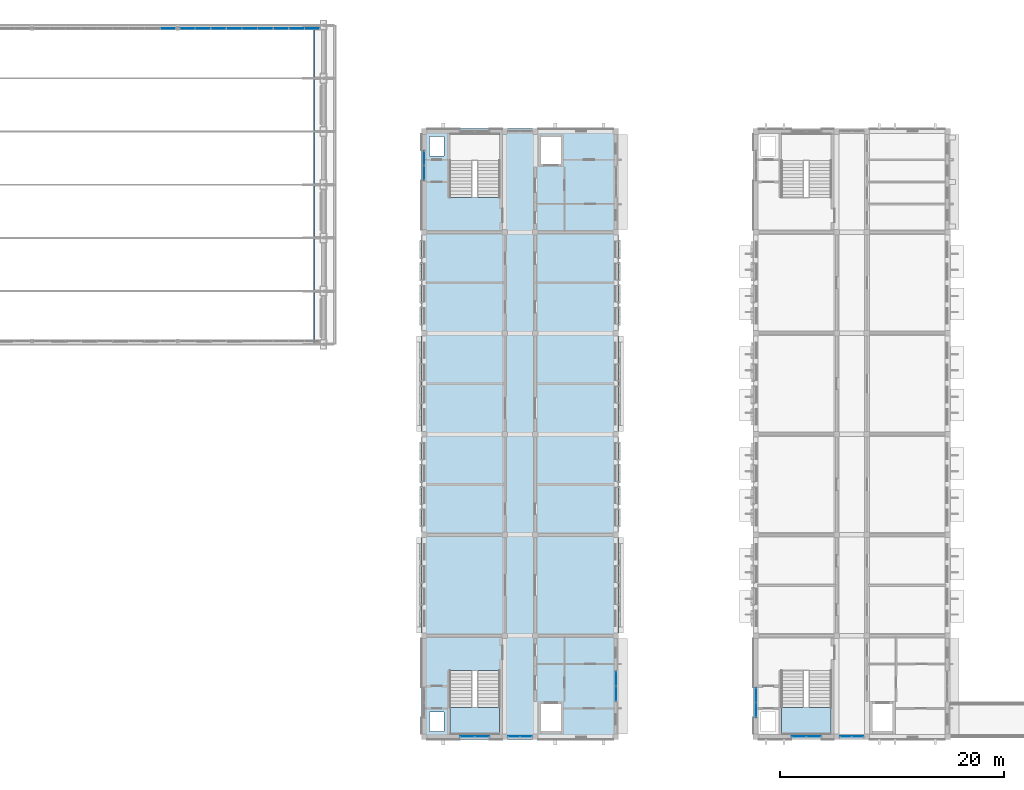
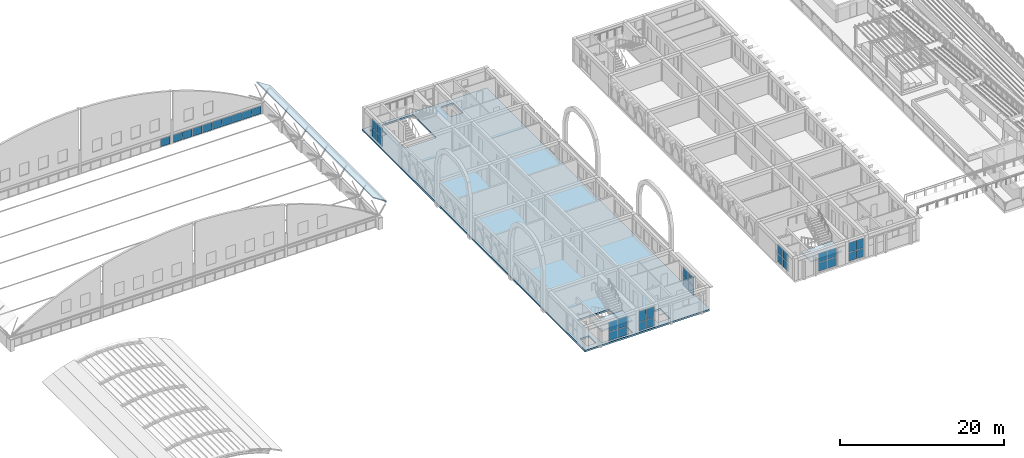
# One storey, part 31 of 65: 38 plates, 4 slabs, 11 elements without a shape of their own.
"""IFC4 building model written with IfcOpenShell, lengths in metres."""

from ifc_helpers import new_model, si_unit, direction, frame, origin, origin_2d, place, context, subcontext, project, spatial, polyline, rectangle, outline, extrude, material, layer, layer_set, type_object, element, aggregate, save


model = new_model("IFC4")

# Units and contexts
model_context = context("Model", 3, precision=1e-05, world=origin(), true_north=direction((0.0, 1.0)))
body_context = subcontext(model_context, "Body", "Model", "MODEL_VIEW")
ifc_project = project(units=[si_unit("LENGTHUNIT", "METRE"), si_unit("AREAUNIT", "SQUARE_METRE"), si_unit("VOLUMEUNIT", "CUBIC_METRE"), si_unit("PLANEANGLEUNIT", "RADIAN"), si_unit("MASSUNIT", "GRAM", prefix="KILO")], contexts=[model_context])

# Site, building, storey
site_placement = place(None, origin())
site = spatial("IfcSite", under=ifc_project, at=site_placement, CompositionType="ELEMENT")
building_placement = place(site_placement, origin())
building = spatial("IfcBuilding", under=site, at=building_placement, Name="Elbe Cascade School", CompositionType="ELEMENT")
storey_placement = place(building_placement, frame((0.0, 0.0, 11.699951171875)))
storey = spatial("IfcBuildingStorey", under=building, at=storey_placement, Name="L03", CompositionType="ELEMENT", Elevation=11.699951171875)

# Stair, slab
ifc_material_1 = material(Name="Concrete C30/37", Category="concrete")
stair_type = type_object("IfcStairType", Name="Bar stair RC 150", PredefinedType="HALF_TURN_STAIR", material=ifc_material_1)
stair_1_placement = place(storey_placement, origin())
stair_1 = element("IfcStair", 1, at=stair_1_placement, inside=storey, type_object=stair_type, Name="Stair A3.S", PredefinedType="HALF_TURN_STAIR")
ifc_material_2 = material(Name="Concrete C30/37", Category="concrete")
ifc_layer_1 = layer(ifc_material_2, 0.199951171875)
ifc_layer_set_1 = layer_set([ifc_layer_1], Name="Concrete C30/37")
slab_type_1 = type_object("IfcSlabType", Name="Bar stair landing RC 200", PredefinedType="LANDING", material=ifc_layer_set_1)
slab_1_placement = place(storey_placement, frame((0.0, 0.0, 1.60009765625)))
slab_1 = element("IfcSlab", 2, at=slab_1_placement, type_object=slab_type_1, Name="ST3 landing 1", PredefinedType="LANDING", context=body_context, shape_type="SweptSolid", body=[
    extrude(outline(polyline([(71.300048828125, 6.179931640625), (75.699951171875, 6.179931640625), (75.699951171875, 8.60009765625), (71.300048828125, 8.60009765625), (71.300048828125, 6.179931640625)])), origin(), (0.0, 0.0, 1.0), 0.199951171875),
])
aggregate(stair_1, [slab_1])

stair_2_placement = place(storey_placement, origin())
stair_2 = element("IfcStair", 3, at=stair_2_placement, inside=storey, type_object=stair_type, Name="Stair B3.S", PredefinedType="HALF_TURN_STAIR")
slab_2_placement = place(storey_placement, frame((0.0, 0.0, 1.60009765625)))
slab_2 = element("IfcSlab", 4, at=slab_2_placement, type_object=slab_type_1, Name="ST3 landing 1", PredefinedType="LANDING", context=body_context, shape_type="SweptSolid", body=[
    extrude(outline(polyline([(100.89990234375, 6.179931640625), (105.300048828125, 6.179931640625), (105.300048828125, 8.60009765625), (100.89990234375, 8.60009765625), (100.89990234375, 6.179931640625)])), origin(), (0.0, 0.0, 1.0), 0.199951171875),
])
aggregate(stair_2, [slab_2])

# Curtain wall, plates
ifc_material_3 = material(Name="Aluminium frame with double glazing, bronze anodised", Category="aluminium")
ifc_layer_2 = layer(ifc_material_3, 0.159912109375)
ifc_layer_set_2 = layer_set([ifc_layer_2], Name="Aluminium frame with double glazing, bronze anodised")
curtain_wall_type_1 = type_object("IfcCurtainWallType", Name="Bars envelope Curtain wall, aluminium, bronze anodised, storey-high slot", PredefinedType="NOTDEFINED", material=ifc_layer_set_2)
curtain_wall_1_placement = place(storey_placement, origin())
curtain_wall_1 = element("IfcCurtainWall", 5, at=curtain_wall_1_placement, inside=storey, type_object=curtain_wall_type_1, Name="Curtain wall CW4 A.L03.w6", PredefinedType="NOTDEFINED")
ifc_material_4 = material(Name="Glass - double glazed low-E", Category="glass")
ifc_layer_3 = layer(ifc_material_4, 0.028076171875)
ifc_layer_set_3 = layer_set([ifc_layer_3], Name="Glass - double glazed low-E")
plate_type_1 = type_object("IfcPlateType", Name="Bars envelope Curtain wall glazing panel 28 mm, double glazed, storey-high slot", PredefinedType="CURTAIN_PANEL", material=ifc_layer_set_3)
plate_1_placement = place(storey_placement, frame((69.0, 56.300048828125, 0.06005859375), z_axis=(0.0, 0.0, 1.0), x_axis=(0.0, 1.0, 0.0)))
plate_1 = element("IfcPlate", 6, at=plate_1_placement, type_object=plate_type_1, Name="CW4 panel 1.1", PredefinedType="CURTAIN_PANEL", context=body_context, shape_type="SweptSolid", body=[
    extrude(rectangle(XDim=1.260009765625, YDim=0.028076171875, at=origin_2d()), origin(), (0.0, 0.0, 1.0), 1.260009765625),
])
plate_2_placement = place(storey_placement, frame((69.0, 56.300048828125, 1.3798828125), z_axis=(0.0, 0.0, 1.0), x_axis=(0.0, 1.0, 0.0)))
plate_2 = element("IfcPlate", 7, at=plate_2_placement, type_object=plate_type_1, Name="CW4 panel 1.2", PredefinedType="CURTAIN_PANEL", context=body_context, shape_type="SweptSolid", body=[
    extrude(rectangle(XDim=1.260009765625, YDim=0.028076171875, at=origin_2d()), origin(), (0.0, 0.0, 1.0), 1.409912109375),
])
plate_3_placement = place(storey_placement, frame((69.0, 57.6201171875, 0.06005859375), z_axis=(0.0, 0.0, 1.0), x_axis=(0.0, 1.0, 0.0)))
plate_3 = element("IfcPlate", 8, at=plate_3_placement, type_object=plate_type_1, Name="CW4 panel 2.1", PredefinedType="CURTAIN_PANEL", context=body_context, shape_type="SweptSolid", body=[
    extrude(rectangle(XDim=1.260009765625, YDim=0.028076171875, at=origin_2d()), origin(), (0.0, 0.0, 1.0), 1.260009765625),
])
plate_4_placement = place(storey_placement, frame((69.0, 57.6201171875, 1.3798828125), z_axis=(0.0, 0.0, 1.0), x_axis=(0.0, 1.0, 0.0)))
plate_4 = element("IfcPlate", 9, at=plate_4_placement, type_object=plate_type_1, Name="CW4 panel 2.2", PredefinedType="CURTAIN_PANEL", context=body_context, shape_type="SweptSolid", body=[
    extrude(rectangle(XDim=1.260009765625, YDim=0.028076171875, at=origin_2d()), origin(), (0.0, 0.0, 1.0), 1.409912109375),
])
aggregate(curtain_wall_1, [plate_1, plate_2, plate_3, plate_4])

curtain_wall_2_placement = place(storey_placement, origin())
curtain_wall_2 = element("IfcCurtainWall", 10, at=curtain_wall_2_placement, inside=storey, type_object=curtain_wall_type_1, Name="Curtain wall CW4 A.L03.e1", PredefinedType="NOTDEFINED")
plate_5_placement = place(storey_placement, frame((86.10009765625, 11.159912109375, 0.06005859375), z_axis=(0.0, 0.0, 1.0), x_axis=(0.0, -1.0, 0.0)))
plate_5 = element("IfcPlate", 11, at=plate_5_placement, type_object=plate_type_1, Name="CW4 panel 1.1", PredefinedType="CURTAIN_PANEL", context=body_context, shape_type="SweptSolid", body=[
    extrude(rectangle(XDim=1.260009765625, YDim=0.028076171875, at=origin_2d()), origin(), (0.0, 0.0, 1.0), 1.260009765625),
])
plate_6_placement = place(storey_placement, frame((86.10009765625, 11.159912109375, 1.3798828125), z_axis=(0.0, 0.0, 1.0), x_axis=(0.0, -1.0, 0.0)))
plate_6 = element("IfcPlate", 12, at=plate_6_placement, type_object=plate_type_1, Name="CW4 panel 1.2", PredefinedType="CURTAIN_PANEL", context=body_context, shape_type="SweptSolid", body=[
    extrude(rectangle(XDim=1.260009765625, YDim=0.028076171875, at=origin_2d()), origin(), (0.0, 0.0, 1.0), 1.409912109375),
])
plate_7_placement = place(storey_placement, frame((86.10009765625, 9.840087890625, 0.06005859375), z_axis=(0.0, 0.0, 1.0), x_axis=(0.0, -1.0, 0.0)))
plate_7 = element("IfcPlate", 13, at=plate_7_placement, type_object=plate_type_1, Name="CW4 panel 2.1", PredefinedType="CURTAIN_PANEL", context=body_context, shape_type="SweptSolid", body=[
    extrude(rectangle(XDim=1.260009765625, YDim=0.028076171875, at=origin_2d()), origin(), (0.0, 0.0, 1.0), 1.260009765625),
])
plate_8_placement = place(storey_placement, frame((86.10009765625, 9.840087890625, 1.3798828125), z_axis=(0.0, 0.0, 1.0), x_axis=(0.0, -1.0, 0.0)))
plate_8 = element("IfcPlate", 14, at=plate_8_placement, type_object=plate_type_1, Name="CW4 panel 2.2", PredefinedType="CURTAIN_PANEL", context=body_context, shape_type="SweptSolid", body=[
    extrude(rectangle(XDim=1.260009765625, YDim=0.028076171875, at=origin_2d()), origin(), (0.0, 0.0, 1.0), 1.409912109375),
])
aggregate(curtain_wall_2, [plate_5, plate_6, plate_7, plate_8])

curtain_wall_3_placement = place(storey_placement, origin())
curtain_wall_3 = element("IfcCurtainWall", 15, at=curtain_wall_3_placement, inside=storey, type_object=curtain_wall_type_1, Name="Curtain wall CW4 A.L03.s1", PredefinedType="NOTDEFINED")
plate_9_placement = place(storey_placement, frame((74.159912109375, 6.0, 0.06005859375), z_axis=(0.0, 0.0, 1.0), x_axis=(-1.0, 0.0, 0.0)))
plate_9 = element("IfcPlate", 16, at=plate_9_placement, type_object=plate_type_1, Name="CW4 panel 1.1", PredefinedType="CURTAIN_PANEL", context=body_context, shape_type="SweptSolid", body=[
    extrude(rectangle(XDim=1.260009765625, YDim=0.028076171875, at=origin_2d()), origin(), (0.0, 0.0, 1.0), 1.260009765625),
])
plate_10_placement = place(storey_placement, frame((74.159912109375, 6.0, 1.380126953125), z_axis=(0.0, 0.0, 1.0), x_axis=(-1.0, 0.0, 0.0)))
plate_10 = element("IfcPlate", 17, at=plate_10_placement, type_object=plate_type_1, Name="CW4 panel 1.2", PredefinedType="CURTAIN_PANEL", context=body_context, shape_type="SweptSolid", body=[
    extrude(rectangle(XDim=1.260009765625, YDim=0.028076171875, at=origin_2d()), origin(), (0.0, 0.0, 1.0), 1.4599609375),
])
plate_11_placement = place(storey_placement, frame((72.840087890625, 6.0, 0.06005859375), z_axis=(0.0, 0.0, 1.0), x_axis=(-1.0, 0.0, 0.0)))
plate_11 = element("IfcPlate", 18, at=plate_11_placement, type_object=plate_type_1, Name="CW4 panel 2.1", PredefinedType="CURTAIN_PANEL", context=body_context, shape_type="SweptSolid", body=[
    extrude(rectangle(XDim=1.260009765625, YDim=0.028076171875, at=origin_2d()), origin(), (0.0, 0.0, 1.0), 1.260009765625),
])
plate_12_placement = place(storey_placement, frame((72.840087890625, 6.0, 1.380126953125), z_axis=(0.0, 0.0, 1.0), x_axis=(-1.0, 0.0, 0.0)))
plate_12 = element("IfcPlate", 19, at=plate_12_placement, type_object=plate_type_1, Name="CW4 panel 2.2", PredefinedType="CURTAIN_PANEL", context=body_context, shape_type="SweptSolid", body=[
    extrude(rectangle(XDim=1.260009765625, YDim=0.028076171875, at=origin_2d()), origin(), (0.0, 0.0, 1.0), 1.4599609375),
])
aggregate(curtain_wall_3, [plate_9, plate_10, plate_11, plate_12])

curtain_wall_4_placement = place(storey_placement, origin())
curtain_wall_4 = element("IfcCurtainWall", 20, at=curtain_wall_4_placement, inside=storey, type_object=curtain_wall_type_1, Name="Curtain wall CW4 A.L03.s2", PredefinedType="NOTDEFINED")
plate_13_placement = place(storey_placement, frame((78.0849609375, 6.0, 0.06005859375), z_axis=(0.0, 0.0, 1.0), x_axis=(-1.0, 0.0, 0.0)))
plate_13 = element("IfcPlate", 21, at=plate_13_placement, type_object=plate_type_1, Name="CW4 panel 1.1", PredefinedType="CURTAIN_PANEL", context=body_context, shape_type="SweptSolid", body=[
    extrude(rectangle(XDim=1.010009765625, YDim=0.028076171875, at=origin_2d()), origin(), (0.0, 0.0, 1.0), 1.260009765625),
])
plate_14_placement = place(storey_placement, frame((78.0849609375, 6.0, 1.380126953125), z_axis=(0.0, 0.0, 1.0), x_axis=(-1.0, 0.0, 0.0)))
plate_14 = element("IfcPlate", 22, at=plate_14_placement, type_object=plate_type_1, Name="CW4 panel 1.2", PredefinedType="CURTAIN_PANEL", context=body_context, shape_type="SweptSolid", body=[
    extrude(rectangle(XDim=1.010009765625, YDim=0.028076171875, at=origin_2d()), origin(), (0.0, 0.0, 1.0), 1.56005859375),
])
plate_15_placement = place(storey_placement, frame((77.014892578125, 6.0, 0.06005859375), z_axis=(0.0, 0.0, 1.0), x_axis=(-1.0, 0.0, 0.0)))
plate_15 = element("IfcPlate", 23, at=plate_15_placement, type_object=plate_type_1, Name="CW4 panel 2.1", PredefinedType="CURTAIN_PANEL", context=body_context, shape_type="SweptSolid", body=[
    extrude(rectangle(XDim=1.010009765625, YDim=0.028076171875, at=origin_2d()), origin(), (0.0, 0.0, 1.0), 1.260009765625),
])
plate_16_placement = place(storey_placement, frame((77.014892578125, 6.0, 1.380126953125), z_axis=(0.0, 0.0, 1.0), x_axis=(-1.0, 0.0, 0.0)))
plate_16 = element("IfcPlate", 24, at=plate_16_placement, type_object=plate_type_1, Name="CW4 panel 2.2", PredefinedType="CURTAIN_PANEL", context=body_context, shape_type="SweptSolid", body=[
    extrude(rectangle(XDim=1.010009765625, YDim=0.028076171875, at=origin_2d()), origin(), (0.0, 0.0, 1.0), 1.56005859375),
])
aggregate(curtain_wall_4, [plate_13, plate_14, plate_15, plate_16])

curtain_wall_5_placement = place(storey_placement, origin())
curtain_wall_5 = element("IfcCurtainWall", 25, at=curtain_wall_5_placement, inside=storey, type_object=curtain_wall_type_1, Name="Curtain wall CW4 B.L03.w1", PredefinedType="NOTDEFINED")
plate_17_placement = place(storey_placement, frame((98.60009765625, 8.3798828125, 0.06005859375), z_axis=(0.0, 0.0, 1.0), x_axis=(0.0, 1.0, 0.0)))
plate_17 = element("IfcPlate", 26, at=plate_17_placement, type_object=plate_type_1, Name="CW4 panel 1.1", PredefinedType="CURTAIN_PANEL", context=body_context, shape_type="SweptSolid", body=[
    extrude(rectangle(XDim=1.260009765625, YDim=0.028076171875, at=origin_2d()), origin(), (0.0, 0.0, 1.0), 1.260009765625),
])
plate_18_placement = place(storey_placement, frame((98.60009765625, 8.3798828125, 1.380126953125), z_axis=(0.0, 0.0, 1.0), x_axis=(0.0, 1.0, 0.0)))
plate_18 = element("IfcPlate", 27, at=plate_18_placement, type_object=plate_type_1, Name="CW4 panel 1.2", PredefinedType="CURTAIN_PANEL", context=body_context, shape_type="SweptSolid", body=[
    extrude(rectangle(XDim=1.260009765625, YDim=0.028076171875, at=origin_2d()), origin(), (0.0, 0.0, 1.0), 1.31005859375),
])
plate_19_placement = place(storey_placement, frame((98.60009765625, 9.699951171875, 0.06005859375), z_axis=(0.0, 0.0, 1.0), x_axis=(0.0, 1.0, 0.0)))
plate_19 = element("IfcPlate", 28, at=plate_19_placement, type_object=plate_type_1, Name="CW4 panel 2.1", PredefinedType="CURTAIN_PANEL", context=body_context, shape_type="SweptSolid", body=[
    extrude(rectangle(XDim=1.260009765625, YDim=0.028076171875, at=origin_2d()), origin(), (0.0, 0.0, 1.0), 1.260009765625),
])
plate_20_placement = place(storey_placement, frame((98.60009765625, 9.699951171875, 1.380126953125), z_axis=(0.0, 0.0, 1.0), x_axis=(0.0, 1.0, 0.0)))
plate_20 = element("IfcPlate", 29, at=plate_20_placement, type_object=plate_type_1, Name="CW4 panel 2.2", PredefinedType="CURTAIN_PANEL", context=body_context, shape_type="SweptSolid", body=[
    extrude(rectangle(XDim=1.260009765625, YDim=0.028076171875, at=origin_2d()), origin(), (0.0, 0.0, 1.0), 1.31005859375),
])
aggregate(curtain_wall_5, [plate_17, plate_18, plate_19, plate_20])

curtain_wall_6_placement = place(storey_placement, origin())
curtain_wall_6 = element("IfcCurtainWall", 30, at=curtain_wall_6_placement, inside=storey, type_object=curtain_wall_type_1, Name="Curtain wall CW4 B.L03.s1", PredefinedType="NOTDEFINED")
plate_21_placement = place(storey_placement, frame((103.760009765625, 6.0, 0.06005859375), z_axis=(0.0, 0.0, 1.0), x_axis=(-1.0, 0.0, 0.0)))
plate_21 = element("IfcPlate", 31, at=plate_21_placement, type_object=plate_type_1, Name="CW4 panel 1.1", PredefinedType="CURTAIN_PANEL", context=body_context, shape_type="SweptSolid", body=[
    extrude(rectangle(XDim=1.260009765625, YDim=0.028076171875, at=origin_2d()), origin(), (0.0, 0.0, 1.0), 1.260009765625),
])
plate_22_placement = place(storey_placement, frame((103.760009765625, 6.0, 1.3798828125), z_axis=(0.0, 0.0, 1.0), x_axis=(-1.0, 0.0, 0.0)))
plate_22 = element("IfcPlate", 32, at=plate_22_placement, type_object=plate_type_1, Name="CW4 panel 1.2", PredefinedType="CURTAIN_PANEL", context=body_context, shape_type="SweptSolid", body=[
    extrude(rectangle(XDim=1.260009765625, YDim=0.028076171875, at=origin_2d()), origin(), (0.0, 0.0, 1.0), 1.360107421875),
])
plate_23_placement = place(storey_placement, frame((102.43994140625, 6.0, 0.06005859375), z_axis=(0.0, 0.0, 1.0), x_axis=(-1.0, 0.0, 0.0)))
plate_23 = element("IfcPlate", 33, at=plate_23_placement, type_object=plate_type_1, Name="CW4 panel 2.1", PredefinedType="CURTAIN_PANEL", context=body_context, shape_type="SweptSolid", body=[
    extrude(rectangle(XDim=1.260009765625, YDim=0.028076171875, at=origin_2d()), origin(), (0.0, 0.0, 1.0), 1.260009765625),
])
plate_24_placement = place(storey_placement, frame((102.43994140625, 6.0, 1.3798828125), z_axis=(0.0, 0.0, 1.0), x_axis=(-1.0, 0.0, 0.0)))
plate_24 = element("IfcPlate", 34, at=plate_24_placement, type_object=plate_type_1, Name="CW4 panel 2.2", PredefinedType="CURTAIN_PANEL", context=body_context, shape_type="SweptSolid", body=[
    extrude(rectangle(XDim=1.260009765625, YDim=0.028076171875, at=origin_2d()), origin(), (0.0, 0.0, 1.0), 1.360107421875),
])
aggregate(curtain_wall_6, [plate_21, plate_22, plate_23, plate_24])

curtain_wall_7_placement = place(storey_placement, origin())
curtain_wall_7 = element("IfcCurtainWall", 35, at=curtain_wall_7_placement, inside=storey, type_object=curtain_wall_type_1, Name="Curtain wall CW4 B.L03.s2", PredefinedType="NOTDEFINED")
plate_25_placement = place(storey_placement, frame((107.68505859375, 6.0, 0.06005859375), z_axis=(0.0, 0.0, 1.0), x_axis=(-1.0, 0.0, 0.0)))
plate_25 = element("IfcPlate", 36, at=plate_25_placement, type_object=plate_type_1, Name="CW4 panel 1.1", PredefinedType="CURTAIN_PANEL", context=body_context, shape_type="SweptSolid", body=[
    extrude(rectangle(XDim=1.010009765625, YDim=0.028076171875, at=origin_2d()), origin(), (0.0, 0.0, 1.0), 1.260009765625),
])
plate_26_placement = place(storey_placement, frame((107.68505859375, 6.0, 1.380126953125), z_axis=(0.0, 0.0, 1.0), x_axis=(-1.0, 0.0, 0.0)))
plate_26 = element("IfcPlate", 37, at=plate_26_placement, type_object=plate_type_1, Name="CW4 panel 1.2", PredefinedType="CURTAIN_PANEL", context=body_context, shape_type="SweptSolid", body=[
    extrude(rectangle(XDim=1.010009765625, YDim=0.028076171875, at=origin_2d()), origin(), (0.0, 0.0, 1.0), 1.4599609375),
])
plate_27_placement = place(storey_placement, frame((106.614990234375, 6.0, 0.06005859375), z_axis=(0.0, 0.0, 1.0), x_axis=(-1.0, 0.0, 0.0)))
plate_27 = element("IfcPlate", 38, at=plate_27_placement, type_object=plate_type_1, Name="CW4 panel 2.1", PredefinedType="CURTAIN_PANEL", context=body_context, shape_type="SweptSolid", body=[
    extrude(rectangle(XDim=1.010009765625, YDim=0.028076171875, at=origin_2d()), origin(), (0.0, 0.0, 1.0), 1.260009765625),
])
plate_28_placement = place(storey_placement, frame((106.614990234375, 6.0, 1.380126953125), z_axis=(0.0, 0.0, 1.0), x_axis=(-1.0, 0.0, 0.0)))
plate_28 = element("IfcPlate", 39, at=plate_28_placement, type_object=plate_type_1, Name="CW4 panel 2.2", PredefinedType="CURTAIN_PANEL", context=body_context, shape_type="SweptSolid", body=[
    extrude(rectangle(XDim=1.010009765625, YDim=0.028076171875, at=origin_2d()), origin(), (0.0, 0.0, 1.0), 1.4599609375),
])
aggregate(curtain_wall_7, [plate_25, plate_26, plate_27, plate_28])

# Slab
ifc_material_5 = material(Name="Concrete C30/37", Category="concrete")
ifc_layer_4 = layer(ifc_material_5, 0.25)
ifc_layer_set_4 = layer_set([ifc_layer_4], Name="Concrete C30/37")
slab_type_2 = type_object("IfcSlabType", Name="Floor slab 250", PredefinedType="FLOOR", material=ifc_layer_set_4)
slab_3_placement = place(storey_placement, frame((0.0, 0.0, -0.25)))
element("IfcSlab", 40, at=slab_3_placement, inside=storey, type_object=slab_type_2, Name="Floor slab 250 S2", PredefinedType="FLOOR", context=body_context, shape_type="SweptSolid", body=[
    extrude(outline(polyline([(68.75, 5.75), (86.35009765625, 5.75), (86.35009765625, 60.25), (68.75, 60.25), (68.75, 5.75)]), holes=[polyline([(71.300048828125, 6.179931640625), (75.699951171875, 6.179931640625), (75.699951171875, 11.8798828125), (71.300048828125, 11.8798828125), (71.300048828125, 6.179931640625)]), polyline([(79.39990234375, 6.5), (81.199951171875, 6.5), (81.199951171875, 8.89990234375), (79.39990234375, 8.89990234375), (79.39990234375, 6.5)]), polyline([(71.300048828125, 54.1201171875), (75.699951171875, 54.1201171875), (75.699951171875, 59.820068359375), (71.300048828125, 59.820068359375), (71.300048828125, 54.1201171875)]), polyline([(79.39990234375, 57.10009765625), (81.199951171875, 57.10009765625), (81.199951171875, 59.5), (79.39990234375, 59.5), (79.39990234375, 57.10009765625)]), polyline([(69.449951171875, 6.449951171875), (70.75, 6.449951171875), (70.75, 8.199951171875), (69.449951171875, 8.199951171875), (69.449951171875, 6.449951171875)]), polyline([(69.449951171875, 57.800048828125), (70.75, 57.800048828125), (70.75, 59.550048828125), (69.449951171875, 59.550048828125), (69.449951171875, 57.800048828125)])]), origin(), (0.0, 0.0, 1.0), 0.25),
])

# Curtain wall, plate
ifc_material_6 = material(Name="Glass - double glazed low-E", Category="glass")
curtain_wall_type_2 = type_object("IfcCurtainWallType", Name="Hall gable curtain wall", PredefinedType="NOTDEFINED", material=ifc_material_6)
curtain_wall_8_placement = place(storey_placement, origin())
curtain_wall_8 = element("IfcCurtainWall", 41, at=curtain_wall_8_placement, inside=storey, type_object=curtain_wall_type_2, Name="Gable curtain wall N3", PredefinedType="NOTDEFINED")
ifc_material_7 = material(Name="Glass - double glazed low-E", Category="glass")
ifc_layer_5 = layer(ifc_material_7, 0.028076171875)
ifc_layer_set_5 = layer_set([ifc_layer_5], Name="Glass - double glazed low-E")
plate_type_2 = type_object("IfcPlateType", Name="Hall gable glass panel", PredefinedType="CURTAIN_PANEL", material=ifc_layer_set_5)
plate_29_placement = place(storey_placement, frame((46.12939453125, 69.199951171875, 0.06005859375), z_axis=(0.0, 0.0, 1.0), x_axis=(1.0, 0.0, 0.0)))
plate_29 = element("IfcPlate", 42, at=plate_29_placement, type_object=plate_type_2, Name="CW6 panel 9.1", PredefinedType="CURTAIN_PANEL", context=body_context, shape_type="SweptSolid", body=[
    extrude(rectangle(XDim=1.321044921875, YDim=0.028076171875, at=origin_2d()), origin(), (0.0, 0.0, 1.0), 1.139892578125),
])
aggregate(curtain_wall_8, [plate_29])

# Curtain wall, plates
curtain_wall_9_placement = place(storey_placement, origin())
curtain_wall_9 = element("IfcCurtainWall", 43, at=curtain_wall_9_placement, inside=storey, type_object=curtain_wall_type_2, Name="Gable curtain wall N4", PredefinedType="NOTDEFINED")
plate_30_placement = place(storey_placement, frame((47.8623046875, 69.199951171875, 0.06005859375), z_axis=(0.0, 0.0, 1.0), x_axis=(1.0, 0.0, 0.0)))
plate_30 = element("IfcPlate", 44, at=plate_30_placement, type_object=plate_type_2, Name="CW6 panel 1.1", PredefinedType="CURTAIN_PANEL", context=body_context, shape_type="SweptSolid", body=[
    extrude(rectangle(XDim=1.304443359375, YDim=0.028076171875, at=origin_2d()), origin(), (0.0, 0.0, 1.0), 1.139892578125),
])
plate_31_placement = place(storey_placement, frame((49.24169921875, 69.199951171875, 0.06005859375), z_axis=(0.0, 0.0, 1.0), x_axis=(1.0, 0.0, 0.0)))
plate_31 = element("IfcPlate", 45, at=plate_31_placement, type_object=plate_type_2, Name="CW6 panel 2.1", PredefinedType="CURTAIN_PANEL", context=body_context, shape_type="SweptSolid", body=[
    extrude(rectangle(XDim=1.33447265625, YDim=0.028076171875, at=origin_2d()), origin(), (0.0, 0.0, 1.0), 1.139892578125),
])
plate_32_placement = place(storey_placement, frame((50.63623046875, 69.199951171875, 0.06005859375), z_axis=(0.0, 0.0, 1.0), x_axis=(1.0, 0.0, 0.0)))
plate_32 = element("IfcPlate", 46, at=plate_32_placement, type_object=plate_type_2, Name="CW6 panel 3.1", PredefinedType="CURTAIN_PANEL", context=body_context, shape_type="SweptSolid", body=[
    extrude(rectangle(XDim=1.33447265625, YDim=0.028076171875, at=origin_2d()), origin(), (0.0, 0.0, 1.0), 1.139892578125),
])
plate_33_placement = place(storey_placement, frame((52.030517578125, 69.199951171875, 0.06005859375), z_axis=(0.0, 0.0, 1.0), x_axis=(1.0, 0.0, 0.0)))
plate_33 = element("IfcPlate", 47, at=plate_33_placement, type_object=plate_type_2, Name="CW6 panel 4.1", PredefinedType="CURTAIN_PANEL", context=body_context, shape_type="SweptSolid", body=[
    extrude(rectangle(XDim=1.33447265625, YDim=0.028076171875, at=origin_2d()), origin(), (0.0, 0.0, 1.0), 1.139892578125),
])
plate_34_placement = place(storey_placement, frame((53.425048828125, 69.199951171875, 0.06005859375), z_axis=(0.0, 0.0, 1.0), x_axis=(1.0, 0.0, 0.0)))
plate_34 = element("IfcPlate", 48, at=plate_34_placement, type_object=plate_type_2, Name="CW6 panel 5.1", PredefinedType="CURTAIN_PANEL", context=body_context, shape_type="SweptSolid", body=[
    extrude(rectangle(XDim=1.33447265625, YDim=0.028076171875, at=origin_2d()), origin(), (0.0, 0.0, 1.0), 1.139892578125),
])
plate_35_placement = place(storey_placement, frame((54.8193359375, 69.199951171875, 0.06005859375), z_axis=(0.0, 0.0, 1.0), x_axis=(1.0, 0.0, 0.0)))
plate_35 = element("IfcPlate", 49, at=plate_35_placement, type_object=plate_type_2, Name="CW6 panel 6.1", PredefinedType="CURTAIN_PANEL", context=body_context, shape_type="SweptSolid", body=[
    extrude(rectangle(XDim=1.33447265625, YDim=0.028076171875, at=origin_2d()), origin(), (0.0, 0.0, 1.0), 1.139892578125),
])
plate_36_placement = place(storey_placement, frame((56.2138671875, 69.199951171875, 0.06005859375), z_axis=(0.0, 0.0, 1.0), x_axis=(1.0, 0.0, 0.0)))
plate_36 = element("IfcPlate", 50, at=plate_36_placement, type_object=plate_type_2, Name="CW6 panel 7.1", PredefinedType="CURTAIN_PANEL", context=body_context, shape_type="SweptSolid", body=[
    extrude(rectangle(XDim=1.33447265625, YDim=0.028076171875, at=origin_2d()), origin(), (0.0, 0.0, 1.0), 1.139892578125),
])
plate_37_placement = place(storey_placement, frame((57.6083984375, 69.199951171875, 0.06005859375), z_axis=(0.0, 0.0, 1.0), x_axis=(1.0, 0.0, 0.0)))
plate_37 = element("IfcPlate", 51, at=plate_37_placement, type_object=plate_type_2, Name="CW6 panel 8.1", PredefinedType="CURTAIN_PANEL", context=body_context, shape_type="SweptSolid", body=[
    extrude(rectangle(XDim=1.33447265625, YDim=0.028076171875, at=origin_2d()), origin(), (0.0, 0.0, 1.0), 1.139892578125),
])
plate_38_placement = place(storey_placement, frame((58.98779296875, 69.199951171875, 0.06005859375), z_axis=(0.0, 0.0, 1.0), x_axis=(1.0, 0.0, 0.0)))
plate_38 = element("IfcPlate", 52, at=plate_38_placement, type_object=plate_type_2, Name="CW6 panel 9.1", PredefinedType="CURTAIN_PANEL", context=body_context, shape_type="SweptSolid", body=[
    extrude(rectangle(XDim=1.304443359375, YDim=0.028076171875, at=origin_2d()), origin(), (0.0, 0.0, 1.0), 1.139892578125),
])
aggregate(curtain_wall_9, [plate_30, plate_31, plate_32, plate_33, plate_34, plate_35, plate_36, plate_37, plate_38])

# Slab
ifc_material_8 = material(Name="Steel S350GD+Z insulated deck", Category="steel")
ifc_layer_6 = layer(ifc_material_8, 0.1201171875)
ifc_layer_set_6 = layer_set([ifc_layer_6], Name="Steel S350GD+Z insulated deck")
slab_type_3 = type_object("IfcSlabType", Name="Hall roof deck insulated steel sheet 120", PredefinedType="ROOF", material=ifc_layer_set_6)
slab_4_placement = place(storey_placement, frame((59.203125, 41.0, 4.817626953125), z_axis=(0.54230083266, 0.0, 0.840184388629), x_axis=(0.840184388629, 0.0, -0.54230083266)))
element("IfcSlab", 53, at=slab_4_placement, inside=storey, type_object=slab_type_3, Name="Roof deck 28", PredefinedType="ROOF", context=body_context, shape_type="SweptSolid", body=[
    extrude(outline(polyline([(0.0, 0.0), (2.3013921422122587, 0.0), (2.3013921422122587, 28.500000000000007), (0.0, 28.500000000000007), (0.0, 0.0)])), origin(), (0.0, 0.0, -1.0), 0.1201171875),
])

save(model, "model.ifc")
